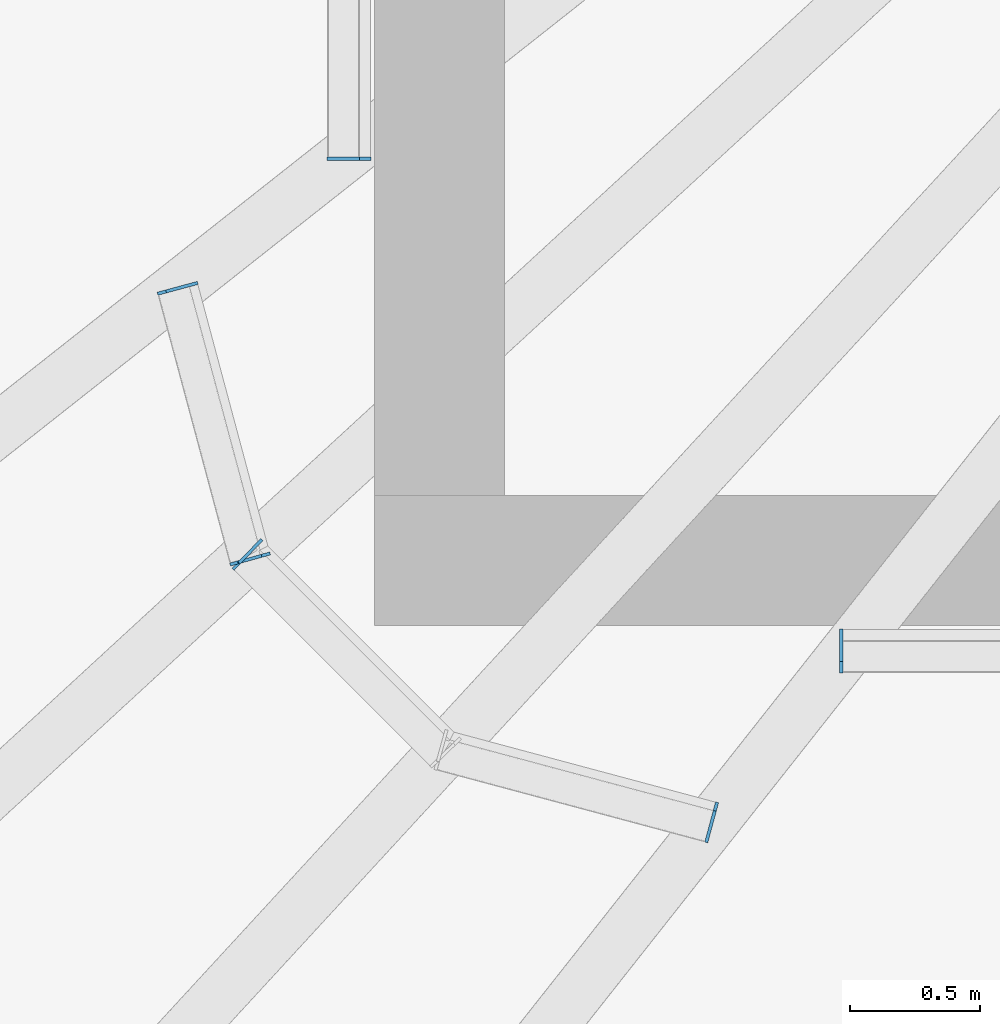
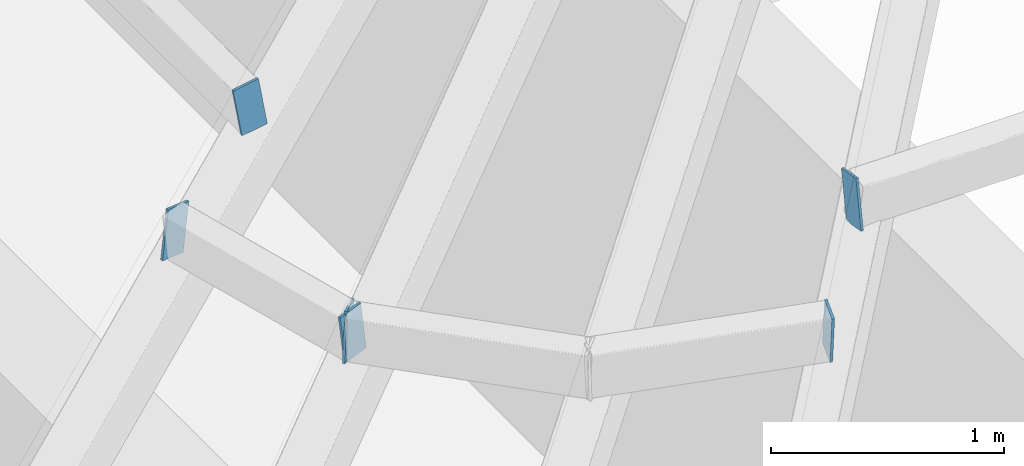
# One storey, part 26 of 46: 6 discrete accessories.
"""IFC4 building model written with IfcOpenShell, lengths in metres."""

import ifcopenshell
import ifcopenshell.guid

model = None  # the IFC model being written
_history = None  # IfcOwnerHistory: only IFC2X3 demands one
_inside = {}  # id of a spatial element -> (the spatial element, [elements in it])
_under = {}  # id of a project, library or spatial element -> (it, [spatial elements below it])
_declared = {}  # id of a project -> (the project, [libraries it declares])
_typed = {}  # id of a type object -> (the type object, [elements of that type])
_made_of = {}  # id of a material, layer set ... -> (it, [elements and type objects made of it])


def new_model(schema):
    """Start an empty IFC model of exactly this schema.

    Asked for "IFC4X3", IfcOpenShell would pick the latest addendum, in which some entities
    have other attributes; the version numbers below select the first issue.
    IFC2X3 requires an IfcOwnerHistory on every rooted entity: one is made here for all.
    """
    global model, _history
    if schema == "IFC4X3":
        model = ifcopenshell.file(schema_version=(4, 3, 0, 0))
    else:
        model = ifcopenshell.file(schema=schema)
    _inside.clear()
    _under.clear()
    _declared.clear()
    _typed.clear()
    _made_of.clear()
    _history = None
    if model.schema == "IFC2X3":
        org = make("IfcOrganization", Name="unknown")
        user = make(
            "IfcPersonAndOrganization",
            ThePerson=make("IfcPerson", FamilyName="unknown"),
            TheOrganization=org,
        )
        app = make(
            "IfcApplication",
            ApplicationDeveloper=org,
            Version="unknown",
            ApplicationFullName="unknown",
            ApplicationIdentifier="unknown",
        )
        _history = make(
            "IfcOwnerHistory",
            OwningUser=user,
            OwningApplication=app,
            ChangeAction="ADDED",
            CreationDate=0,
        )
    return model


def make(cls, **values):
    """One entity of the class cls with the attributes given. An attribute that is None is left unset."""
    return model.create_entity(
        cls, **{name: value for name, value in values.items() if value is not None}
    )


def rooted(cls, **values):
    """An entity with a GlobalId (a new one), such as an element, a storey or a relation."""
    return make(cls, GlobalId=ifcopenshell.guid.new(), OwnerHistory=_history, **values)


def si_unit(unit_type, name, prefix=None):
    """IfcSIUnit, for example si_unit("LENGTHUNIT", "METRE", prefix="MILLI")."""
    return make("IfcSIUnit", UnitType=unit_type, Prefix=prefix, Name=name)


def assignment(units):
    """IfcUnitAssignment: the units of a project."""
    return None if units is None else make("IfcUnitAssignment", Units=units)


def point(xyz):
    """IfcCartesianPoint."""
    return None if xyz is None else make("IfcCartesianPoint", Coordinates=xyz)


def direction(xyz):
    """IfcDirection."""
    return None if xyz is None else make("IfcDirection", DirectionRatios=xyz)


def frame(location, z_axis=None, x_axis=None):
    """IfcAxis2Placement3D, a coordinate frame: its origin and axes. An axis left out is left unset."""
    return make(
        "IfcAxis2Placement3D",
        Location=point(location),
        Axis=direction(z_axis),
        RefDirection=direction(x_axis),
    )


def frame_2d(location, x_axis=None):
    """IfcAxis2Placement2D, a coordinate frame in the plane: its origin and x axis."""
    return make(
        "IfcAxis2Placement2D", Location=point(location), RefDirection=direction(x_axis)
    )


def origin():
    """The frame at (0, 0, 0) with its axes left unset."""
    return frame((0.0, 0.0, 0.0))


def origin_2d():
    """The frame at (0, 0) in the plane with its x axis left unset."""
    return frame_2d((0.0, 0.0))


def place(relative_to, where):
    """IfcLocalPlacement: puts the frame where relative to a parent placement (None: the world)."""
    return make(
        "IfcLocalPlacement", PlacementRelTo=relative_to, RelativePlacement=where
    )


def context(
    kind, dimensions, precision=None, world=None, true_north=None, identifier=None
):
    """IfcGeometricRepresentationContext, for example the 3D "Model" context."""
    return make(
        "IfcGeometricRepresentationContext",
        ContextIdentifier=identifier,
        ContextType=kind,
        CoordinateSpaceDimension=dimensions,
        Precision=precision,
        WorldCoordinateSystem=world,
        TrueNorth=true_north,
    )


def subcontext(parent, identifier, kind, view, scale=None):
    """IfcGeometricRepresentationSubContext, for example "Body" below "Model"."""
    return make(
        "IfcGeometricRepresentationSubContext",
        ContextIdentifier=identifier,
        ContextType=kind,
        ParentContext=parent,
        TargetScale=scale,
        TargetView=view,
    )


def project(units=None, contexts=None):
    """IfcProject with its units and contexts."""
    return rooted(
        "IfcProject",
        Name="project",
        RepresentationContexts=contexts,
        UnitsInContext=assignment(units),
    )


def spatial(cls, under=None, at=None, **own):
    """A site, building, storey or space (cls), placed at a placement, below another one or the project."""
    s = rooted(cls, ObjectPlacement=at, **own)
    if under is not None:
        _under.setdefault(under.id(), (under, []))[1].append(s)
    return s


def profile(cls, at=None, kind="AREA", **sizes):
    """A parametric profile (cls). Its sizes go by their IFC names, for example OverallWidth=200.0."""
    return make(cls, ProfileType=kind, Position=at, **sizes)


def rectangle(**sizes):
    """IfcRectangleProfileDef."""
    return profile("IfcRectangleProfileDef", **sizes)


def extrude(swept, where, along, depth):
    """IfcExtrudedAreaSolid: the profile swept, set in the frame where, extruded along a direction by depth."""
    return make(
        "IfcExtrudedAreaSolid",
        SweptArea=swept,
        Position=where,
        ExtrudedDirection=direction(along),
        Depth=depth,
    )


def shape(context_of_items, identifier, shape_type, items):
    """IfcShapeRepresentation: the items that make up one representation, for example the "Body"."""
    return make(
        "IfcShapeRepresentation",
        ContextOfItems=context_of_items,
        RepresentationIdentifier=identifier,
        RepresentationType=shape_type,
        Items=items,
    )


def material(Name=None, Category=None):
    """IfcMaterial."""
    return make("IfcMaterial", Name=Name, Category=Category)


def made_of(thing, what):
    """Note that an element or type object is made of a material, layer set ...; save() writes the relation."""
    if what is not None:
        _made_of.setdefault(what.id(), (what, []))[1].append(thing)
    return thing


def type_object(cls, material=None, **own):
    """A type object (cls), such as IfcWallType, which elements share."""
    return made_of(rooted(cls, **own), material)


def element(
    cls,
    number,
    at=None,
    inside=None,
    cuts=None,
    type_object=None,
    material=None,
    context=None,
    identifier="Body",
    shape_type=None,
    held_by="IfcProductDefinitionShape",
    body=None,
    shapes=None,
    **own,
):
    """One element of the class cls, such as IfcWall. Its Tag is "e" and its number.

    at: its placement. inside: the storey or other place that contains it. cuts: it is an
    opening in that element (IfcRelVoidsElement). A single representation is given by context,
    identifier, shape_type and body (its items); several are given by shapes. held_by: the class
    of the entity that holds the representations. save() writes the other relations.
    """
    e = rooted(cls, Tag="e%d" % number, ObjectPlacement=at, **own)
    if body is not None:
        shapes = [shape(context, identifier, shape_type, body)]
    if shapes is not None:
        e.Representation = make(held_by, Representations=shapes)
    if inside is not None:
        _inside.setdefault(inside.id(), (inside, []))[1].append(e)
    if cuts is not None:
        rooted(
            "IfcRelVoidsElement", RelatingBuildingElement=cuts, RelatedOpeningElement=e
        )
    if type_object is not None:
        _typed.setdefault(type_object.id(), (type_object, []))[1].append(e)
    return made_of(e, material)


def aggregate(whole, parts):
    """IfcRelAggregates: a whole, such as a stair, and the parts it consists of."""
    return rooted("IfcRelAggregates", RelatingObject=whole, RelatedObjects=parts)


def save(model, path):
    """Write the relations noted so far, then the file.

    IfcRelAggregates (storeys below a building ...), IfcRelContainedInSpatialStructure (elements
    in a storey), IfcRelDefinesByType, IfcRelAssociatesMaterial and IfcRelDeclares: one each for
    every whole, place, type object, material and project.
    """
    for whole, parts in _under.values():
        aggregate(whole, parts)
    for where, things in _inside.values():
        rooted(
            "IfcRelContainedInSpatialStructure",
            RelatedElements=things,
            RelatingStructure=where,
        )
    for kind, things in _typed.values():
        rooted("IfcRelDefinesByType", RelatedObjects=things, RelatingType=kind)
    for what, things in _made_of.values():
        rooted("IfcRelAssociatesMaterial", RelatedObjects=things, RelatingMaterial=what)
    for by, libraries in _declared.values():
        rooted("IfcRelDeclares", RelatingContext=by, RelatedDefinitions=libraries)
    model.write(path)


model = new_model("IFC4")

# Units and contexts
model_context = context("Model", 3, precision=1e-05, world=origin(), true_north=direction((0.0, 1.0)))
body_context = subcontext(model_context, "Body", "Model", "MODEL_VIEW")
ifc_project = project(units=[si_unit("LENGTHUNIT", "METRE"), si_unit("AREAUNIT", "SQUARE_METRE"), si_unit("VOLUMEUNIT", "CUBIC_METRE"), si_unit("PLANEANGLEUNIT", "RADIAN"), si_unit("MASSUNIT", "GRAM", prefix="KILO")], contexts=[model_context])

# Site, building, storey
site_placement = place(None, origin())
site = spatial("IfcSite", under=ifc_project, at=site_placement, CompositionType="ELEMENT")
building_placement = place(site_placement, origin())
building = spatial("IfcBuilding", under=site, at=building_placement, Name="Madar Terraces", CompositionType="ELEMENT")
storey_placement = place(building_placement, frame((0.0, 0.0, 317.300048828125)))
storey = spatial("IfcBuildingStorey", under=building, at=storey_placement, Name="L82", CompositionType="ELEMENT", Elevation=317.300048828125)

# Discrete accessories
ifc_material = material(Name="Steel plate ASTM A36, galvanised", Category="steel")
discrete_accessory_type = type_object("IfcDiscreteAccessoryType", Name="Hollow section end plate", PredefinedType="BRACKET", material=ifc_material)
for number, where, z_axis, x_axis, name in (
    (1, (16.800048828125, 14.90185546875, 5.8291015625), (-1.0, 0.0, 0.0), (0.0, -0.984957023705, 0.172799483372), "Hollow section end plate"),
    (2, (14.90185546875, 16.800048828125, 5.8291015625), (0.0, -1.0, 0.0), (0.984957023705, 0.0, 0.172799483372), "Hollow section end plate"),
):
    element("IfcDiscreteAccessory", number, at=place(storey_placement, frame(where, z_axis=z_axis, x_axis=x_axis)), inside=storey, type_object=discrete_accessory_type, Name=name, PredefinedType="BRACKET", context=body_context, shape_type="SweptSolid", body=[
        extrude(rectangle(XDim=0.126953125, YDim=0.25390625, at=origin_2d()), origin(), (0.0, 0.0, 1.0), 0.011962890625),
    ])
discrete_accessory_1_placement = place(storey_placement, frame((14.2451171875, 16.2900390625, 5.714111328125), z_axis=(-0.261415475728, 0.96522637192, 0.0), x_axis=(-0.956510055821, -0.259054806785, 0.13408624163)))
element("IfcDiscreteAccessory", 3, at=discrete_accessory_1_placement, inside=storey, type_object=discrete_accessory_type, Name="Hollow section end plate", PredefinedType="BRACKET", context=body_context, shape_type="SweptSolid", body=[
    extrude(rectangle(XDim=0.126953125, YDim=0.25390625, at=origin_2d()), origin(), (0.0, 0.0, 1.0), 0.01220703125),
])
for number, where, z_axis, x_axis, name in (
    (4, (14.5205078125, 15.261474609375, 5.714111328125), (0.266586054538, -0.963811120254, 0.0), (0.95510758435, 0.264178693544, 0.13408624163), "Hollow section end plate"),
    (5, (14.51611328125, 15.26904296875, 5.7138671875), (-0.717279380859, 0.696785684263, 0.0), (-0.69071035684, -0.711025367336, 0.131765435371), "Hollow section end plate"),
):
    element("IfcDiscreteAccessory", number, at=place(storey_placement, frame(where, z_axis=z_axis, x_axis=x_axis)), inside=storey, type_object=discrete_accessory_type, Name=name, PredefinedType="BRACKET", context=body_context, shape_type="SweptSolid", body=[
        extrude(rectangle(XDim=0.126953125, YDim=0.25390625, at=origin_2d()), origin(), (0.0, 0.0, 1.0), 0.011962890625),
    ])
discrete_accessory_2_placement = place(storey_placement, frame((16.2900390625, 14.2451171875, 5.714111328125), z_axis=(0.96522637192, -0.261415475728, 0.0), x_axis=(0.259054806785, 0.956510055821, 0.13408624163)))
element("IfcDiscreteAccessory", 6, at=discrete_accessory_2_placement, inside=storey, type_object=discrete_accessory_type, Name="Hollow section end plate", PredefinedType="BRACKET", context=body_context, shape_type="SweptSolid", body=[
    extrude(rectangle(XDim=0.126953125, YDim=0.25390625, at=origin_2d()), origin(), (0.0, 0.0, 1.0), 0.01220703125),
])

save(model, "model.ifc")
